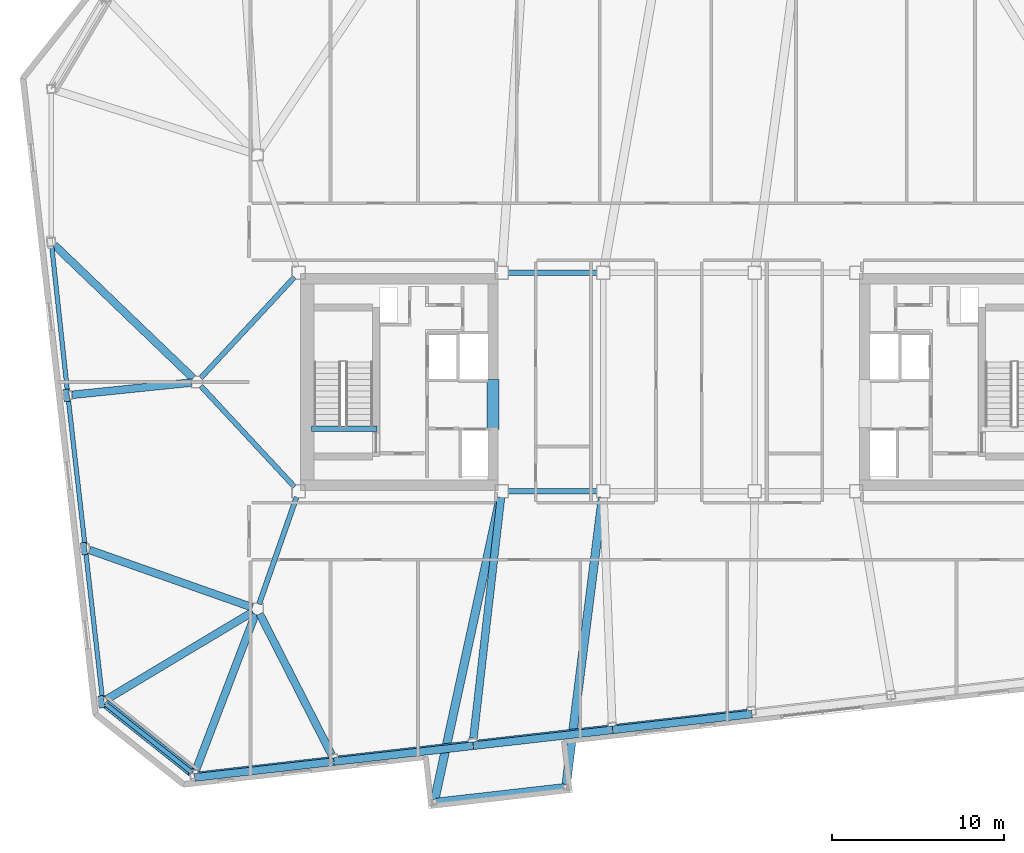
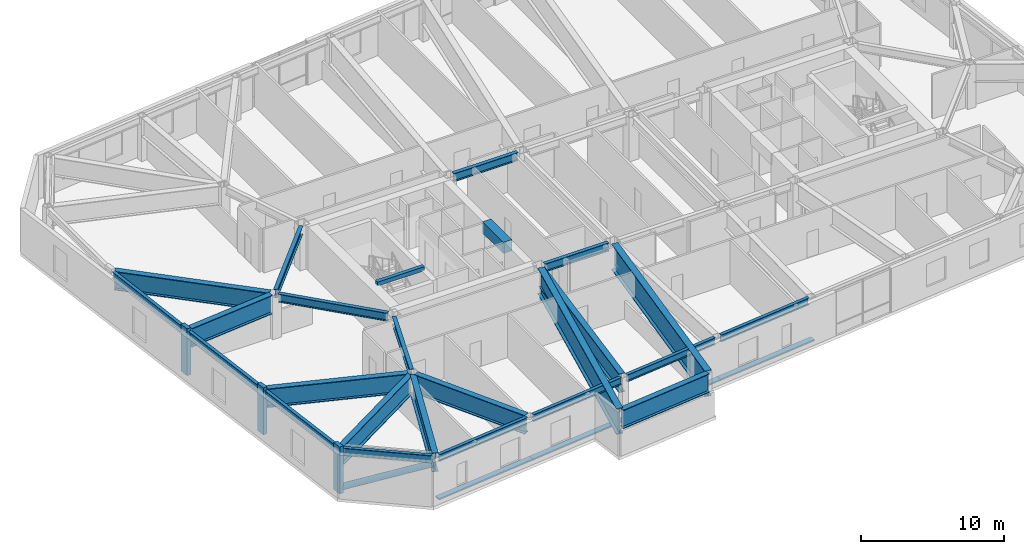
# One storey, part 4 of 18: 25 beams, 8 members.
"""IFC4 building model written with IfcOpenShell, lengths in metres."""

import ifcopenshell
import ifcopenshell.guid

model = None  # the IFC model being written
_history = None  # IfcOwnerHistory: only IFC2X3 demands one
_inside = {}  # id of a spatial element -> (the spatial element, [elements in it])
_under = {}  # id of a project, library or spatial element -> (it, [spatial elements below it])
_declared = {}  # id of a project -> (the project, [libraries it declares])
_typed = {}  # id of a type object -> (the type object, [elements of that type])
_made_of = {}  # id of a material, layer set ... -> (it, [elements and type objects made of it])


def new_model(schema):
    """Start an empty IFC model of exactly this schema.

    Asked for "IFC4X3", IfcOpenShell would pick the latest addendum, in which some entities
    have other attributes; the version numbers below select the first issue.
    IFC2X3 requires an IfcOwnerHistory on every rooted entity: one is made here for all.
    """
    global model, _history
    if schema == "IFC4X3":
        model = ifcopenshell.file(schema_version=(4, 3, 0, 0))
    else:
        model = ifcopenshell.file(schema=schema)
    _inside.clear()
    _under.clear()
    _declared.clear()
    _typed.clear()
    _made_of.clear()
    _history = None
    if model.schema == "IFC2X3":
        org = make("IfcOrganization", Name="unknown")
        user = make(
            "IfcPersonAndOrganization",
            ThePerson=make("IfcPerson", FamilyName="unknown"),
            TheOrganization=org,
        )
        app = make(
            "IfcApplication",
            ApplicationDeveloper=org,
            Version="unknown",
            ApplicationFullName="unknown",
            ApplicationIdentifier="unknown",
        )
        _history = make(
            "IfcOwnerHistory",
            OwningUser=user,
            OwningApplication=app,
            ChangeAction="ADDED",
            CreationDate=0,
        )
    return model


def make(cls, **values):
    """One entity of the class cls with the attributes given. An attribute that is None is left unset."""
    return model.create_entity(
        cls, **{name: value for name, value in values.items() if value is not None}
    )


def rooted(cls, **values):
    """An entity with a GlobalId (a new one), such as an element, a storey or a relation."""
    return make(cls, GlobalId=ifcopenshell.guid.new(), OwnerHistory=_history, **values)


def si_unit(unit_type, name, prefix=None):
    """IfcSIUnit, for example si_unit("LENGTHUNIT", "METRE", prefix="MILLI")."""
    return make("IfcSIUnit", UnitType=unit_type, Prefix=prefix, Name=name)


def assignment(units):
    """IfcUnitAssignment: the units of a project."""
    return None if units is None else make("IfcUnitAssignment", Units=units)


def point(xyz):
    """IfcCartesianPoint."""
    return None if xyz is None else make("IfcCartesianPoint", Coordinates=xyz)


def direction(xyz):
    """IfcDirection."""
    return None if xyz is None else make("IfcDirection", DirectionRatios=xyz)


def frame(location, z_axis=None, x_axis=None):
    """IfcAxis2Placement3D, a coordinate frame: its origin and axes. An axis left out is left unset."""
    return make(
        "IfcAxis2Placement3D",
        Location=point(location),
        Axis=direction(z_axis),
        RefDirection=direction(x_axis),
    )


def frame_2d(location, x_axis=None):
    """IfcAxis2Placement2D, a coordinate frame in the plane: its origin and x axis."""
    return make(
        "IfcAxis2Placement2D", Location=point(location), RefDirection=direction(x_axis)
    )


def origin():
    """The frame at (0, 0, 0) with its axes left unset."""
    return frame((0.0, 0.0, 0.0))


def origin_2d():
    """The frame at (0, 0) in the plane with its x axis left unset."""
    return frame_2d((0.0, 0.0))


def place(relative_to, where):
    """IfcLocalPlacement: puts the frame where relative to a parent placement (None: the world)."""
    return make(
        "IfcLocalPlacement", PlacementRelTo=relative_to, RelativePlacement=where
    )


def context(
    kind, dimensions, precision=None, world=None, true_north=None, identifier=None
):
    """IfcGeometricRepresentationContext, for example the 3D "Model" context."""
    return make(
        "IfcGeometricRepresentationContext",
        ContextIdentifier=identifier,
        ContextType=kind,
        CoordinateSpaceDimension=dimensions,
        Precision=precision,
        WorldCoordinateSystem=world,
        TrueNorth=true_north,
    )


def subcontext(parent, identifier, kind, view, scale=None):
    """IfcGeometricRepresentationSubContext, for example "Body" below "Model"."""
    return make(
        "IfcGeometricRepresentationSubContext",
        ContextIdentifier=identifier,
        ContextType=kind,
        ParentContext=parent,
        TargetScale=scale,
        TargetView=view,
    )


def project(units=None, contexts=None):
    """IfcProject with its units and contexts."""
    return rooted(
        "IfcProject",
        Name="project",
        RepresentationContexts=contexts,
        UnitsInContext=assignment(units),
    )


def spatial(cls, under=None, at=None, **own):
    """A site, building, storey or space (cls), placed at a placement, below another one or the project."""
    s = rooted(cls, ObjectPlacement=at, **own)
    if under is not None:
        _under.setdefault(under.id(), (under, []))[1].append(s)
    return s


def profile(cls, at=None, kind="AREA", **sizes):
    """A parametric profile (cls). Its sizes go by their IFC names, for example OverallWidth=200.0."""
    return make(cls, ProfileType=kind, Position=at, **sizes)


def rectangle(**sizes):
    """IfcRectangleProfileDef."""
    return profile("IfcRectangleProfileDef", **sizes)


def hollow_circle(**sizes):
    """IfcCircleHollowProfileDef."""
    return profile("IfcCircleHollowProfileDef", **sizes)


def i_section(**sizes):
    """IfcIShapeProfileDef."""
    return profile("IfcIShapeProfileDef", **sizes)


def extrude(swept, where, along, depth):
    """IfcExtrudedAreaSolid: the profile swept, set in the frame where, extruded along a direction by depth."""
    return make(
        "IfcExtrudedAreaSolid",
        SweptArea=swept,
        Position=where,
        ExtrudedDirection=direction(along),
        Depth=depth,
    )


def shape(context_of_items, identifier, shape_type, items):
    """IfcShapeRepresentation: the items that make up one representation, for example the "Body"."""
    return make(
        "IfcShapeRepresentation",
        ContextOfItems=context_of_items,
        RepresentationIdentifier=identifier,
        RepresentationType=shape_type,
        Items=items,
    )


def material(Name=None, Category=None):
    """IfcMaterial."""
    return make("IfcMaterial", Name=Name, Category=Category)


def material_profile(
    of_material, cross_section, Name=None, Category=None, Priority=None
):
    """IfcMaterialProfile: a cross section and its material."""
    return make(
        "IfcMaterialProfile",
        Name=Name,
        Material=of_material,
        Profile=cross_section,
        Priority=Priority,
        Category=Category,
    )


def profile_set(profiles, Name=None, composite=None):
    """IfcMaterialProfileSet."""
    return make(
        "IfcMaterialProfileSet",
        Name=Name,
        MaterialProfiles=profiles,
        CompositeProfile=composite,
    )


def made_of(thing, what):
    """Note that an element or type object is made of a material, layer set ...; save() writes the relation."""
    if what is not None:
        _made_of.setdefault(what.id(), (what, []))[1].append(thing)
    return thing


def type_object(cls, material=None, **own):
    """A type object (cls), such as IfcWallType, which elements share."""
    return made_of(rooted(cls, **own), material)


def element(
    cls,
    number,
    at=None,
    inside=None,
    cuts=None,
    type_object=None,
    material=None,
    context=None,
    identifier="Body",
    shape_type=None,
    held_by="IfcProductDefinitionShape",
    body=None,
    shapes=None,
    **own,
):
    """One element of the class cls, such as IfcWall. Its Tag is "e" and its number.

    at: its placement. inside: the storey or other place that contains it. cuts: it is an
    opening in that element (IfcRelVoidsElement). A single representation is given by context,
    identifier, shape_type and body (its items); several are given by shapes. held_by: the class
    of the entity that holds the representations. save() writes the other relations.
    """
    e = rooted(cls, Tag="e%d" % number, ObjectPlacement=at, **own)
    if body is not None:
        shapes = [shape(context, identifier, shape_type, body)]
    if shapes is not None:
        e.Representation = make(held_by, Representations=shapes)
    if inside is not None:
        _inside.setdefault(inside.id(), (inside, []))[1].append(e)
    if cuts is not None:
        rooted(
            "IfcRelVoidsElement", RelatingBuildingElement=cuts, RelatedOpeningElement=e
        )
    if type_object is not None:
        _typed.setdefault(type_object.id(), (type_object, []))[1].append(e)
    return made_of(e, material)


def aggregate(whole, parts):
    """IfcRelAggregates: a whole, such as a stair, and the parts it consists of."""
    return rooted("IfcRelAggregates", RelatingObject=whole, RelatedObjects=parts)


def save(model, path):
    """Write the relations noted so far, then the file.

    IfcRelAggregates (storeys below a building ...), IfcRelContainedInSpatialStructure (elements
    in a storey), IfcRelDefinesByType, IfcRelAssociatesMaterial and IfcRelDeclares: one each for
    every whole, place, type object, material and project.
    """
    for whole, parts in _under.values():
        aggregate(whole, parts)
    for where, things in _inside.values():
        rooted(
            "IfcRelContainedInSpatialStructure",
            RelatedElements=things,
            RelatingStructure=where,
        )
    for kind, things in _typed.values():
        rooted("IfcRelDefinesByType", RelatedObjects=things, RelatingType=kind)
    for what, things in _made_of.values():
        rooted("IfcRelAssociatesMaterial", RelatedObjects=things, RelatingMaterial=what)
    for by, libraries in _declared.values():
        rooted("IfcRelDeclares", RelatingContext=by, RelatedDefinitions=libraries)
    model.write(path)


model = new_model("IFC4")

# Units and contexts
model_context = context("Model", 3, precision=1e-05, world=origin(), true_north=direction((0.0, 1.0)))
body_context = subcontext(model_context, "Body", "Model", "MODEL_VIEW")
ifc_project = project(units=[si_unit("LENGTHUNIT", "METRE"), si_unit("AREAUNIT", "SQUARE_METRE"), si_unit("VOLUMEUNIT", "CUBIC_METRE"), si_unit("PLANEANGLEUNIT", "RADIAN"), si_unit("MASSUNIT", "GRAM", prefix="KILO")], contexts=[model_context])

# Site, building, storey
site_placement = place(None, origin())
site = spatial("IfcSite", under=ifc_project, at=site_placement, CompositionType="ELEMENT")
building_placement = place(site_placement, origin())
building = spatial("IfcBuilding", under=site, at=building_placement, Name="Tavrogorsk Clinical Tower", CompositionType="ELEMENT")
storey_placement = place(building_placement, frame((0.0, 0.0, 222.199951171875)))
storey = spatial("IfcBuildingStorey", under=building, at=storey_placement, Name="L51", CompositionType="ELEMENT", Elevation=222.199951171875)

# Members
ifc_material_1 = material(Name="Anodised aluminium alloy AW-6063", Category="aluminium")
ifc_material_profile_1 = material_profile(ifc_material_1, rectangle(XDim=0.449951171875, YDim=0.1201171875, at=origin_2d()), Name="ALU-SUNSHADE-450x120")
ifc_profile_set_1 = profile_set([ifc_material_profile_1], Name="Anodised aluminium alloy AW-6063")
member_type_1 = type_object("IfcMemberType", Name="ChicagoSunshade_450x120", PredefinedType="USERDEFINED", material=ifc_profile_set_1)
for number, where, z_axis, x_axis, name in (
    (1, (-28.144287109375, -22.981201171875, 0.179931640625), (0.9935729766, 0.113193375116, 0.0), (-0.113193375116, 0.9935729766, 0.0), "L51 South Aluminium Sunshade S1"),
    (2, (-20.048095703125, -22.058837890625, 0.179931640625), (0.9935729766, 0.113193375116, 0.0), (-0.113193375116, 0.9935729766, 0.0), "L51 South Aluminium Sunshade S2"),
    (3, (-11.951904296875, -21.136474609375, 0.179931640625), (0.9935729766, 0.113193375116, 0.0), (-0.113193375116, 0.9935729766, 0.0), "L51 South Aluminium Sunshade S3"),
    (4, (-3.855712890625, -20.214111328125, 0.179931640625), (0.99356960656, 0.11322295227, 0.0), (-0.11322295227, 0.99356960656, 0.0), "L51 South Aluminium Sunshade S4"),
):
    element("IfcMember", number, at=place(storey_placement, frame(where, z_axis=z_axis, x_axis=x_axis)), inside=storey, type_object=member_type_1, Name=name, ObjectType="SUNSHADE", PredefinedType="USERDEFINED", context=body_context, shape_type="SweptSolid", body=[
        extrude(rectangle(XDim=0.449951171875, YDim=0.1201171875, at=origin_2d()), origin(), (0.0, 0.0, 1.0), 8.148681640625),
    ])

# Beam
ifc_material_2 = material(Name="Concrete B80", Category="concrete")
ifc_material_profile_2 = material_profile(ifc_material_2, rectangle(XDim=0.699951171875, YDim=0.949951171875, at=origin_2d()), Name="RC-CB-700x950")
ifc_profile_set_2 = profile_set([ifc_material_profile_2], Name="Concrete B80")
beam_type_1 = type_object("IfcBeamType", Name="CouplingBeam_RC700x950", PredefinedType="LINTEL", material=ifc_profile_set_2)
beam_1_placement = place(storey_placement, frame((-10.800048828125, -2.75, 3.26513671875), z_axis=(0.0, 1.0, 0.0), x_axis=(-1.0, 0.0, 0.0)))
element("IfcBeam", 5, at=beam_1_placement, inside=storey, type_object=beam_type_1, Name="L51 Core West Coupling Beam", PredefinedType="LINTEL", context=body_context, shape_type="SweptSolid", body=[
    extrude(rectangle(XDim=0.699951171875, YDim=0.949951171875, at=origin_2d()), origin(), (0.0, 0.0, 1.0), 2.89990234375),
])

# Members
ifc_material_3 = material(Name="Structural steel S440", Category="steel")
ifc_material_profile_3 = material_profile(ifc_material_3, hollow_circle(Radius=0.25390625, WallThickness=0.02001953125, at=origin_2d()), Name="CHS-508x20")
ifc_profile_set_3 = profile_set([ifc_material_profile_3], Name="Structural steel S440")
member_type_2 = type_object("IfcMemberType", Name="ExoBrace_CHS508", PredefinedType="BRACE", material=ifc_profile_set_3)
member_placement = place(storey_placement, frame((-33.29052734375, -18.725341796875, 0.398193359375), z_axis=(0.723851679348, -0.575789482159, 0.380138420237), x_axis=(0.622522488852, 0.782601910855, 0.0)))
element("IfcMember", 6, at=member_placement, inside=storey, type_object=member_type_2, Name="L51 Corner Exoskeleton Brace W5-S1", PredefinedType="BRACE", context=body_context, shape_type="SweptSolid", body=[
    extrude(hollow_circle(Radius=0.25390625, WallThickness=0.02001953125, at=origin_2d()), origin(), (0.0, 0.0, 1.0), 6.8232421875),
])
ifc_material_4 = material(Name="Precast concrete B45 with limestone cladding", Category="masonry")
ifc_material_profile_4 = material_profile(ifc_material_4, rectangle(XDim=0.320068359375, YDim=0.719970703125, at=origin_2d()), Name="LIMESTONE-FIN-320x720")
ifc_profile_set_4 = profile_set([ifc_material_profile_4], Name="Precast concrete B45 with limestone cladding")
member_type_3 = type_object("IfcMemberType", Name="LimestonePleatFin_320x720", PredefinedType="USERDEFINED", material=ifc_profile_set_4)
for number, where, z_axis, x_axis, name in (
    (7, (-35.585205078125, -0.781005859375, 0.0), (0.0, 0.0, 1.0), (0.993571855677, 0.113203213768, 0.0), "L51 W Pleated Stone Fin 2"),
    (8, (-34.571044921875, -9.683349609375, 0.0), (0.0, 0.0, 1.0), (0.993571855677, 0.113203213768, 0.0), "L51 W Pleated Stone Fin 3"),
    (9, (-33.556640625, -18.585693359375, 0.0), (0.0, 0.0, 1.0), (0.993571855677, 0.113203213768, 0.0), "L51 W Pleated Stone Fin 4"),
):
    element("IfcMember", number, at=place(storey_placement, frame(where, z_axis=z_axis, x_axis=x_axis)), inside=storey, type_object=member_type_3, Name=name, ObjectType="FIN", PredefinedType="USERDEFINED", context=body_context, shape_type="SweptSolid", body=[
        extrude(rectangle(XDim=0.320068359375, YDim=0.719970703125, at=origin_2d()), origin(), (0.0, 0.0, 1.0), 4.0),
    ])

# Beams
ifc_material_5 = material(Name="Structural steel S390", Category="steel")
ifc_material_profile_5 = material_profile(ifc_material_5, i_section(OverallWidth=0.300048828125, OverallDepth=0.699951171875, WebThickness=0.01708984375, FlangeThickness=0.028076171875, at=origin_2d()), Name="B-700x300x17x28")
ifc_profile_set_5 = profile_set([ifc_material_profile_5], Name="Structural steel S390")
beam_type_2 = type_object("IfcBeamType", Name="PrimaryGirder_B700", PredefinedType="USERDEFINED", material=ifc_profile_set_5)
for number, where, z_axis, x_axis, name in (
    (10, (-9.93994140625, -6.35009765625, 3.39013671875), (1.0, 0.0, 0.0), (0.0, 1.0, 0.0), "L51 Primary Spine Girder MG-01"),
    (11, (-9.93994140625, 6.35009765625, 3.39013671875), (1.0, 0.0, 0.0), (0.0, 1.0, 0.0), "L51 Primary Spine Girder MG-02"),
):
    element("IfcBeam", number, at=place(storey_placement, frame(where, z_axis=z_axis, x_axis=x_axis)), inside=storey, type_object=beam_type_2, Name=name, ObjectType="GIRDER", PredefinedType="USERDEFINED", context=body_context, shape_type="SweptSolid", body=[
        extrude(i_section(OverallWidth=0.300048828125, OverallDepth=0.699951171875, WebThickness=0.01708984375, FlangeThickness=0.028076171875, at=origin_2d()), origin(), (0.0, 0.0, 1.0), 5.179931640625),
    ])
beam_2_placement = place(storey_placement, frame((-24.3974609375, -12.907470703125, 3.39013671875), z_axis=(0.330654121425, 0.943752007672, 0.0), x_axis=(-0.943752007672, 0.330654121425, 0.0)))
element("IfcBeam", 12, at=beam_2_placement, inside=storey, type_object=beam_type_2, Name="L51 Spine Link Girder OPG-1", ObjectType="GIRDER", PredefinedType="USERDEFINED", context=body_context, shape_type="SweptSolid", body=[
    extrude(i_section(OverallWidth=0.300048828125, OverallDepth=0.699951171875, WebThickness=0.01708984375, FlangeThickness=0.028076171875, at=origin_2d()), origin(), (0.0, 0.0, 1.0), 6.58837890625),
])
for number, where, z_axis, x_axis, name in (
    (13, (-27.7890625, -0.22705078125, 3.39013671875), (0.680684060959, -0.732577101168, 0.0), (0.732577101168, 0.680684060959, 0.0), "L51 Spine Link Girder OPG-5"),
    (14, (-27.7890625, 0.22705078125, 3.39013671875), (0.680684060959, 0.732577101168, 0.0), (-0.732577101168, 0.680684060959, 0.0), "L51 Spine Link Girder OPG-6"),
):
    element("IfcBeam", number, at=place(storey_placement, frame(where, z_axis=z_axis, x_axis=x_axis)), inside=storey, type_object=beam_type_2, Name=name, ObjectType="GIRDER", PredefinedType="USERDEFINED", context=body_context, shape_type="SweptSolid", body=[
        extrude(i_section(OverallWidth=0.300048828125, OverallDepth=0.699951171875, WebThickness=0.01708984375, FlangeThickness=0.028076171875, at=origin_2d()), origin(), (0.0, 0.0, 1.0), 7.998046875),
    ])
ifc_material_6 = material(Name="Structural steel S390", Category="steel")
ifc_material_profile_6 = material_profile(ifc_material_6, i_section(OverallWidth=0.260009765625, OverallDepth=0.60009765625, WebThickness=0.014892578125, FlangeThickness=0.02392578125, at=origin_2d()), Name="B-600x260x15x24")
ifc_profile_set_6 = profile_set([ifc_material_profile_6], Name="Structural steel S390")
beam_type_3 = type_object("IfcBeamType", Name="SpandrelBeam_B600", PredefinedType="SPANDREL", material=ifc_profile_set_6)
for number, where, z_axis, x_axis, name in (
    (15, (-27.908447265625, -22.773193359375, 3.43994140625), (0.993575697004, 0.113169493787, 0.0), (-0.113169493787, 0.993575697004, 0.0), "L51 Perimeter Spandrel S1-S2"),
    (16, (-19.812255859375, -21.850830078125, 3.43994140625), (0.993572099834, 0.113201070804, 0.0), (-0.113201070804, 0.993572099834, 0.0), "L51 Perimeter Spandrel S2-S3"),
):
    element("IfcBeam", number, at=place(storey_placement, frame(where, z_axis=z_axis, x_axis=x_axis)), inside=storey, type_object=beam_type_3, Name=name, PredefinedType="SPANDREL", context=body_context, shape_type="SweptSolid", body=[
        extrude(i_section(OverallWidth=0.260009765625, OverallDepth=0.60009765625, WebThickness=0.014892578125, FlangeThickness=0.02392578125, at=origin_2d()), origin(), (0.0, 0.0, 1.0), 7.632568359375),
    ])
for number, where, z_axis, x_axis, name in (
    (17, (-11.716064453125, -20.928466796875, 3.43994140625), (0.993572509708, 0.113197473259, 0.0), (-0.113197473259, 0.993572509708, 0.0), "L51 Perimeter Spandrel S3-S4"),
    (18, (-3.619873046875, -20.006103515625, 3.43994140625), (0.993568911788, 0.113229048956, 0.0), (-0.113229048956, 0.993568911788, 0.0), "L51 Perimeter Spandrel S4-S5"),
):
    element("IfcBeam", number, at=place(storey_placement, frame(where, z_axis=z_axis, x_axis=x_axis)), inside=storey, type_object=beam_type_3, Name=name, PredefinedType="SPANDREL", context=body_context, shape_type="SweptSolid", body=[
        extrude(i_section(OverallWidth=0.260009765625, OverallDepth=0.60009765625, WebThickness=0.014892578125, FlangeThickness=0.02392578125, at=origin_2d()), origin(), (0.0, 0.0, 1.0), 7.6328125),
    ])
beam_3_placement = place(storey_placement, frame((-36.442138671875, 7.8740234375, 3.43994140625), z_axis=(0.107655746314, -0.994188231818, 0.0), x_axis=(0.994188231818, 0.107655746314, 0.0)))
element("IfcBeam", 19, at=beam_3_placement, inside=storey, type_object=beam_type_3, Name="L51 Perimeter Spandrel W2-W3", PredefinedType="SPANDREL", context=body_context, shape_type="SweptSolid", body=[
    extrude(i_section(OverallWidth=0.260009765625, OverallDepth=0.60009765625, WebThickness=0.014892578125, FlangeThickness=0.02392578125, at=origin_2d()), origin(), (0.0, 0.0, 1.0), 8.4384765625),
])
for number, where, z_axis, x_axis, name in (
    (20, (-35.4765625, -1.0283203125, 3.43994140625), (0.113195129234, -0.99357277676, 0.0), (0.99357277676, 0.113195129234, 0.0), "L51 Perimeter Spandrel W3-W4"),
    (21, (-34.46240234375, -9.9306640625, 3.43994140625), (0.113223671813, -0.993569524563, 0.0), (0.993569524563, 0.113223671813, 0.0), "L51 Perimeter Spandrel W4-W5"),
):
    element("IfcBeam", number, at=place(storey_placement, frame(where, z_axis=z_axis, x_axis=x_axis)), inside=storey, type_object=beam_type_3, Name=name, PredefinedType="SPANDREL", context=body_context, shape_type="SweptSolid", body=[
        extrude(i_section(OverallWidth=0.260009765625, OverallDepth=0.60009765625, WebThickness=0.014892578125, FlangeThickness=0.02392578125, at=origin_2d()), origin(), (0.0, 0.0, 1.0), 8.44384765625),
    ])
beam_4_placement = place(storey_placement, frame((-33.275390625, -18.7373046875, 3.43994140625), z_axis=(0.782608811853, -0.622513813188, 0.0), x_axis=(0.622513813188, 0.782608811853, 0.0)))
element("IfcBeam", 22, at=beam_4_placement, inside=storey, type_object=beam_type_3, Name="L51 Perimeter Spandrel W5-S1", PredefinedType="SPANDREL", context=body_context, shape_type="SweptSolid", body=[
    extrude(i_section(OverallWidth=0.260009765625, OverallDepth=0.60009765625, WebThickness=0.014892578125, FlangeThickness=0.02392578125, at=origin_2d()), origin(), (0.0, 0.0, 1.0), 6.272216796875),
])
ifc_material_7 = material(Name="Concrete B60", Category="concrete")
ifc_material_profile_7 = material_profile(ifc_material_7, rectangle(XDim=0.300048828125, YDim=0.35009765625, at=origin_2d()), Name="RC-SHB-300x350")
ifc_profile_set_7 = profile_set([ifc_material_profile_7], Name="Concrete B60")
beam_type_4 = type_object("IfcBeamType", Name="StairHeaderBeam_RC300x350", PredefinedType="BEAM", material=ifc_profile_set_7)
beam_5_placement = place(storey_placement, frame((-21.35009765625, -2.719970703125, 3.824951171875), z_axis=(1.0, 0.0, 0.0), x_axis=(0.0, 1.0, 0.0)))
element("IfcBeam", 23, at=beam_5_placement, inside=storey, type_object=beam_type_4, Name="L52 ST-W Landing Header Beam", PredefinedType="BEAM", context=body_context, shape_type="SweptSolid", body=[
    extrude(rectangle(XDim=0.300048828125, YDim=0.35009765625, at=origin_2d()), origin(), (0.0, 0.0, 1.0), 3.800048828125),
])
ifc_material_8 = material(Name="Structural steel S440", Category="steel")
ifc_material_profile_8 = material_profile(ifc_material_8, i_section(OverallWidth=0.449951171875, OverallDepth=1.60009765625, WebThickness=0.031982421875, FlangeThickness=0.050048828125, at=origin_2d()), Name="DK-1600x450x32x50")
ifc_profile_set_8 = profile_set([ifc_material_profile_8], Name="Structural steel S440")
beam_type_5 = type_object("IfcBeamType", Name="TransferGirder_DK1600", PredefinedType="USERDEFINED", material=ifc_profile_set_8)
beam_6_placement = place(storey_placement, frame((-24.610595703125, -13.489501953125, 2.93994140625), z_axis=(-0.356548354426, -0.93427687061, 0.0), x_axis=(0.93427687061, -0.356548354426, 0.0)))
element("IfcBeam", 24, at=beam_6_placement, inside=storey, type_object=beam_type_5, Name="L51 Radial Floor Beam S1", ObjectType="GIRDER", PredefinedType="USERDEFINED", context=body_context, shape_type="SweptSolid", body=[
    extrude(i_section(OverallWidth=0.449951171875, OverallDepth=1.60009765625, WebThickness=0.031982421875, FlangeThickness=0.050048828125, at=origin_2d()), origin(), (0.0, 0.0, 1.0), 9.710205078125),
])
beam_7_placement = place(storey_placement, frame((-24.359130859375, -13.47607421875, 2.93994140625), z_axis=(0.454709818127, -0.890639647275, 0.0), x_axis=(0.890639647275, 0.454709818127, 0.0)))
element("IfcBeam", 25, at=beam_7_placement, inside=storey, type_object=beam_type_5, Name="L51 Radial Floor Beam S2", ObjectType="GIRDER", PredefinedType="USERDEFINED", context=body_context, shape_type="SweptSolid", body=[
    extrude(i_section(OverallWidth=0.449951171875, OverallDepth=1.60009765625, WebThickness=0.031982421875, FlangeThickness=0.050048828125, at=origin_2d()), origin(), (0.0, 0.0, 1.0), 9.177978515625),
])
beam_8_placement = place(storey_placement, frame((-10.341064453125, -6.707763671875, 2.93994140625), z_axis=(-0.113743110947, -0.993510193562, 0.0), x_axis=(0.993510193562, -0.113743110947, 0.0)))
element("IfcBeam", 26, at=beam_8_placement, inside=storey, type_object=beam_type_5, Name="L51 Radial Floor Beam S3", ObjectType="GIRDER", PredefinedType="USERDEFINED", context=body_context, shape_type="SweptSolid", body=[
    extrude(i_section(OverallWidth=0.449951171875, OverallDepth=1.60009765625, WebThickness=0.031982421875, FlangeThickness=0.050048828125, at=origin_2d()), origin(), (0.0, 0.0, 1.0), 14.084716796875),
])
beam_9_placement = place(storey_placement, frame((-28.2236328125, 0.214599609375, 2.93994140625), z_axis=(-0.721413519982, 0.692504536582, 0.0), x_axis=(-0.692504536582, -0.721413519982, 0.0)))
element("IfcBeam", 27, at=beam_9_placement, inside=storey, type_object=beam_type_5, Name="L51 Radial Floor Beam W2", ObjectType="GIRDER", PredefinedType="USERDEFINED", context=body_context, shape_type="SweptSolid", body=[
    extrude(i_section(OverallWidth=0.449951171875, OverallDepth=1.60009765625, WebThickness=0.031982421875, FlangeThickness=0.050048828125, at=origin_2d()), origin(), (0.0, 0.0, 1.0), 11.1728515625),
])
beam_10_placement = place(storey_placement, frame((-28.308349609375, -0.03173828125, 2.93994140625), z_axis=(-0.994752624307, -0.102309415177, 0.0), x_axis=(0.102309415177, -0.994752624307, 0.0)))
element("IfcBeam", 28, at=beam_10_placement, inside=storey, type_object=beam_type_5, Name="L51 Radial Floor Beam W3", ObjectType="GIRDER", PredefinedType="USERDEFINED", context=body_context, shape_type="SweptSolid", body=[
    extrude(i_section(OverallWidth=0.449951171875, OverallDepth=1.60009765625, WebThickness=0.031982421875, FlangeThickness=0.050048828125, at=origin_2d()), origin(), (0.0, 0.0, 1.0), 6.9775390625),
])
beam_11_placement = place(storey_placement, frame((-24.792236328125, -13.096923828125, 2.93994140625), z_axis=(-0.943014153926, 0.332752619067, 0.0), x_axis=(-0.332752619067, -0.943014153926, 0.0)))
element("IfcBeam", 29, at=beam_11_placement, inside=storey, type_object=beam_type_5, Name="L51 Radial Floor Beam W4", ObjectType="GIRDER", PredefinedType="USERDEFINED", context=body_context, shape_type="SweptSolid", body=[
    extrude(i_section(OverallWidth=0.449951171875, OverallDepth=1.60009765625, WebThickness=0.031982421875, FlangeThickness=0.050048828125, at=origin_2d()), origin(), (0.0, 0.0, 1.0), 10.027587890625),
])
beam_12_placement = place(storey_placement, frame((-24.765869140625, -13.359375, 2.93994140625), z_axis=(-0.857906237315, -0.513806274754, 0.0), x_axis=(0.513806274754, -0.857906237315, 0.0)))
element("IfcBeam", 30, at=beam_12_placement, inside=storey, type_object=beam_type_5, Name="L51 Radial Floor Beam W5", ObjectType="GIRDER", PredefinedType="USERDEFINED", context=body_context, shape_type="SweptSolid", body=[
    extrude(i_section(OverallWidth=0.449951171875, OverallDepth=1.60009765625, WebThickness=0.031982421875, FlangeThickness=0.050048828125, at=origin_2d()), origin(), (0.0, 0.0, 1.0), 9.896240234375),
])
beam_13_placement = place(storey_placement, frame((-14.103271484375, -24.40087890625, 2.93994140625), z_axis=(0.993571749414, 0.113204146422, 0.0), x_axis=(-0.113204146422, 0.993571749414, 0.0)))
element("IfcBeam", 31, at=beam_13_placement, inside=storey, type_object=beam_type_5, Name="L51 Day-Room Front Edge Beam DRB-07", ObjectType="GIRDER", PredefinedType="USERDEFINED", context=body_context, shape_type="SweptSolid", body=[
    extrude(i_section(OverallWidth=0.449951171875, OverallDepth=1.60009765625, WebThickness=0.031982421875, FlangeThickness=0.050048828125, at=origin_2d()), origin(), (0.0, 0.0, 1.0), 7.459716796875),
])
ifc_material_9 = material(Name="Structural steel S440", Category="steel")
ifc_material_profile_9 = material_profile(ifc_material_9, i_section(OverallWidth=0.5, OverallDepth=2.199951171875, WebThickness=0.035888671875, FlangeThickness=0.054931640625, at=origin_2d()), Name="DK-2200x500x36x55")
ifc_profile_set_9 = profile_set([ifc_material_profile_9], Name="Structural steel S440")
beam_type_6 = type_object("IfcBeamType", Name="TransferGirder_DK2200", PredefinedType="USERDEFINED", material=ifc_profile_set_9)
beam_14_placement = place(storey_placement, frame((-10.37646484375, -6.701904296875, 2.64013671875), z_axis=(-0.212193508958, -0.977227667822, 0.0), x_axis=(0.977227667822, -0.212193508958, 0.0)))
element("IfcBeam", 32, at=beam_14_placement, inside=storey, type_object=beam_type_6, Name="L51 Day-Room Cantilever Beam DRB-07-L", ObjectType="GIRDER", PredefinedType="USERDEFINED", context=body_context, shape_type="SweptSolid", body=[
    extrude(i_section(OverallWidth=0.5, OverallDepth=2.199951171875, WebThickness=0.035888671875, FlangeThickness=0.054931640625, at=origin_2d()), origin(), (0.0, 0.0, 1.0), 17.985595703125),
])
beam_15_placement = place(storey_placement, frame((-4.445068359375, -6.707275390625, 2.64013671875), z_axis=(-0.125337999953, -0.992114099168, 0.0), x_axis=(0.992114099168, -0.125337999953, 0.0)))
element("IfcBeam", 33, at=beam_15_placement, inside=storey, type_object=beam_type_6, Name="L51 Day-Room Cantilever Beam DRB-07-R", ObjectType="GIRDER", PredefinedType="USERDEFINED", context=body_context, shape_type="SweptSolid", body=[
    extrude(i_section(OverallWidth=0.5, OverallDepth=2.199951171875, WebThickness=0.035888671875, FlangeThickness=0.054931640625, at=origin_2d()), origin(), (0.0, 0.0, 1.0), 16.82958984375),
])

save(model, "model.ifc")
